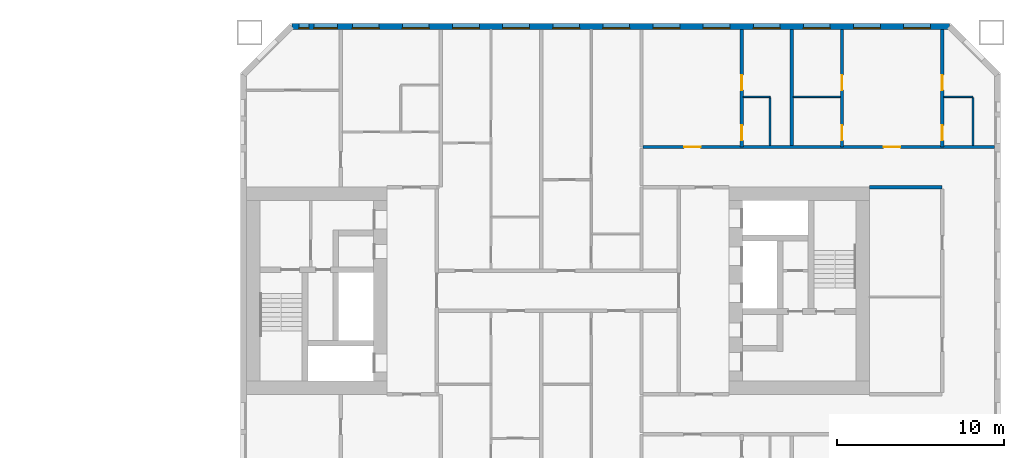
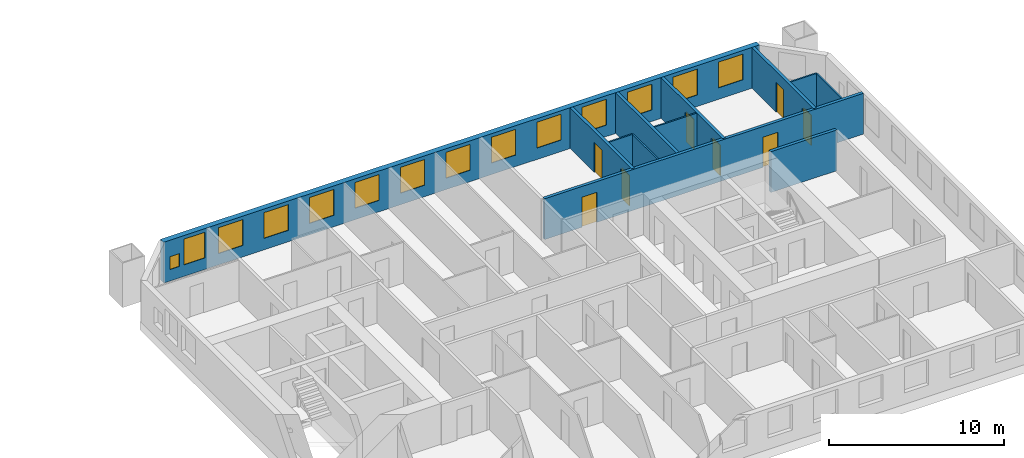
# One storey, part 14 of 17: 14 windows, 12 walls, 8 doors, 22 openings.
"""IFC4 building model written with IfcOpenShell, lengths in metres."""

from ifc_helpers import new_model, si_unit, direction, frame, frame_2d, origin, place, context, subcontext, project, spatial, rectangle, extrude, material, layer, layer_set, type_object, element, fill, save


model = new_model("IFC4")

# Units and contexts
model_context = context("Model", 3, precision=1e-05, world=origin(), true_north=direction((0.0, 1.0)))
body_context = subcontext(model_context, "Body", "Model", "MODEL_VIEW")
ifc_project = project(units=[si_unit("LENGTHUNIT", "METRE"), si_unit("AREAUNIT", "SQUARE_METRE"), si_unit("VOLUMEUNIT", "CUBIC_METRE"), si_unit("PLANEANGLEUNIT", "RADIAN"), si_unit("MASSUNIT", "GRAM", prefix="KILO")], contexts=[model_context])

# Site, building, storey
site_placement = place(None, origin())
site = spatial("IfcSite", under=ifc_project, at=site_placement, CompositionType="ELEMENT")
building_placement = place(site_placement, origin())
building = spatial("IfcBuilding", under=site, at=building_placement, Name="Tuart Gate Housing", CompositionType="ELEMENT")
storey_placement = place(building_placement, frame((0.0, 0.0, 44.300048828125)))
storey = spatial("IfcBuildingStorey", under=building, at=storey_placement, Name="L11", CompositionType="ELEMENT", Elevation=44.300048828125)

# Wall, openings, windows
ifc_material_1 = material(Name="Brick", Category="masonry")
ifc_layer_1 = layer(ifc_material_1, 0.360107421875)
ifc_layer_set_1 = layer_set([ifc_layer_1], Name="Brick pier and spandrel wall 360")
wall_type_1 = type_object("IfcWallType", Name="Brick pier and spandrel wall 360", PredefinedType="STANDARD", material=ifc_layer_set_1)
wall_1_placement = place(storey_placement, frame((173.42529296875, 85.820068359375, 0.0), z_axis=(0.0, 0.0, 1.0), x_axis=(-1.0, 0.0, 0.0)))
wall_1 = element("IfcWall", 1, at=wall_1_placement, inside=storey, type_object=wall_type_1, Name="External wall B-N L11", PredefinedType="STANDARD", context=body_context, shape_type="SweptSolid", body=[
    extrude(rectangle(XDim=39.350830078125, YDim=0.360107421875, at=frame_2d((19.67529296875, 0.0))), origin(), (0.0, 0.0, 1.0), 2.849853515625),
])
opening_1_placement = place(wall_1_placement, frame((1.12548828125, 0.0, 0.800048828125)))
opening_1 = element("IfcOpeningElement", 2, at=opening_1_placement, cuts=wall_1, Name="Opening W1", PredefinedType="OPENING", context=body_context, shape_type="SweptSolid", body=[
    extrude(rectangle(XDim=1.60009765625, YDim=1.800048828125, at=frame_2d((0.800048828125, 0.89990234375))), frame((0.0, 0.18994140625, 0.0), z_axis=(0.0, -1.0, 0.0), x_axis=(1.0, 0.0, 0.0)), (0.0, 0.0, 1.0), 0.380126953125),
])
opening_2_placement = place(wall_1_placement, frame((4.12548828125, 0.0, 0.800048828125)))
opening_2 = element("IfcOpeningElement", 3, at=opening_2_placement, cuts=wall_1, Name="Opening W1", PredefinedType="OPENING", context=body_context, shape_type="SweptSolid", body=[
    extrude(rectangle(XDim=1.60009765625, YDim=1.800048828125, at=frame_2d((0.800048828125, 0.89990234375))), frame((0.0, 0.18994140625, 0.0), z_axis=(0.0, -1.0, 0.0), x_axis=(1.0, 0.0, 0.0)), (0.0, 0.0, 1.0), 0.380126953125),
])
opening_3_placement = place(wall_1_placement, frame((7.12548828125, 0.0, 0.800048828125)))
opening_3 = element("IfcOpeningElement", 4, at=opening_3_placement, cuts=wall_1, Name="Opening W1", PredefinedType="OPENING", context=body_context, shape_type="SweptSolid", body=[
    extrude(rectangle(XDim=1.60009765625, YDim=1.800048828125, at=frame_2d((0.800048828125, 0.89990234375))), frame((0.0, 0.18994140625, 0.0), z_axis=(0.0, -1.0, 0.0), x_axis=(1.0, 0.0, 0.0)), (0.0, 0.0, 1.0), 0.380126953125),
])
opening_4_placement = place(wall_1_placement, frame((10.12548828125, 0.0, 0.800048828125)))
opening_4 = element("IfcOpeningElement", 5, at=opening_4_placement, cuts=wall_1, Name="Opening W1", PredefinedType="OPENING", context=body_context, shape_type="SweptSolid", body=[
    extrude(rectangle(XDim=1.60009765625, YDim=1.800048828125, at=frame_2d((0.800048828125, 0.89990234375))), frame((0.0, 0.18994140625, 0.0), z_axis=(0.0, -1.0, 0.0), x_axis=(1.0, 0.0, 0.0)), (0.0, 0.0, 1.0), 0.380126953125),
])
opening_5_placement = place(wall_1_placement, frame((13.12548828125, 0.0, 0.800048828125)))
opening_5 = element("IfcOpeningElement", 6, at=opening_5_placement, cuts=wall_1, Name="Opening W1", PredefinedType="OPENING", context=body_context, shape_type="SweptSolid", body=[
    extrude(rectangle(XDim=1.60009765625, YDim=1.800048828125, at=frame_2d((0.800048828125, 0.89990234375))), frame((0.0, 0.18994140625, 0.0), z_axis=(0.0, -1.0, 0.0), x_axis=(1.0, 0.0, 0.0)), (0.0, 0.0, 1.0), 0.380126953125),
])
opening_6_placement = place(wall_1_placement, frame((16.12548828125, 0.0, 0.800048828125)))
opening_6 = element("IfcOpeningElement", 7, at=opening_6_placement, cuts=wall_1, Name="Opening W1", PredefinedType="OPENING", context=body_context, shape_type="SweptSolid", body=[
    extrude(rectangle(XDim=1.60009765625, YDim=1.800048828125, at=frame_2d((0.800048828125, 0.89990234375))), frame((0.0, 0.18994140625, 0.0), z_axis=(0.0, -1.0, 0.0), x_axis=(1.0, 0.0, 0.0)), (0.0, 0.0, 1.0), 0.380126953125),
])
opening_7_placement = place(wall_1_placement, frame((19.12548828125, 0.0, 0.800048828125)))
opening_7 = element("IfcOpeningElement", 8, at=opening_7_placement, cuts=wall_1, Name="Opening W1", PredefinedType="OPENING", context=body_context, shape_type="SweptSolid", body=[
    extrude(rectangle(XDim=1.60009765625, YDim=1.800048828125, at=frame_2d((0.800048828125, 0.89990234375))), frame((0.0, 0.18994140625, 0.0), z_axis=(0.0, -1.0, 0.0), x_axis=(1.0, 0.0, 0.0)), (0.0, 0.0, 1.0), 0.380126953125),
])
opening_8_placement = place(wall_1_placement, frame((22.12548828125, 0.0, 0.800048828125)))
opening_8 = element("IfcOpeningElement", 9, at=opening_8_placement, cuts=wall_1, Name="Opening W1", PredefinedType="OPENING", context=body_context, shape_type="SweptSolid", body=[
    extrude(rectangle(XDim=1.60009765625, YDim=1.800048828125, at=frame_2d((0.800048828125, 0.89990234375))), frame((0.0, 0.18994140625, 0.0), z_axis=(0.0, -1.0, 0.0), x_axis=(1.0, 0.0, 0.0)), (0.0, 0.0, 1.0), 0.380126953125),
])
opening_9_placement = place(wall_1_placement, frame((25.12548828125, 0.0, 0.800048828125)))
opening_9 = element("IfcOpeningElement", 10, at=opening_9_placement, cuts=wall_1, Name="Opening W1", PredefinedType="OPENING", context=body_context, shape_type="SweptSolid", body=[
    extrude(rectangle(XDim=1.60009765625, YDim=1.800048828125, at=frame_2d((0.800048828125, 0.89990234375))), frame((0.0, 0.18994140625, 0.0), z_axis=(0.0, -1.0, 0.0), x_axis=(1.0, 0.0, 0.0)), (0.0, 0.0, 1.0), 0.380126953125),
])
opening_10_placement = place(wall_1_placement, frame((28.12548828125, 0.0, 0.800048828125)))
opening_10 = element("IfcOpeningElement", 11, at=opening_10_placement, cuts=wall_1, Name="Opening W1", PredefinedType="OPENING", context=body_context, shape_type="SweptSolid", body=[
    extrude(rectangle(XDim=1.60009765625, YDim=1.800048828125, at=frame_2d((0.800048828125, 0.89990234375))), frame((0.0, 0.18994140625, 0.0), z_axis=(0.0, -1.0, 0.0), x_axis=(1.0, 0.0, 0.0)), (0.0, 0.0, 1.0), 0.380126953125),
])
opening_11_placement = place(wall_1_placement, frame((31.12548828125, 0.0, 0.800048828125)))
opening_11 = element("IfcOpeningElement", 12, at=opening_11_placement, cuts=wall_1, Name="Opening W1", PredefinedType="OPENING", context=body_context, shape_type="SweptSolid", body=[
    extrude(rectangle(XDim=1.60009765625, YDim=1.800048828125, at=frame_2d((0.800048828125, 0.89990234375))), frame((0.0, 0.18994140625, 0.0), z_axis=(0.0, -1.0, 0.0), x_axis=(1.0, 0.0, 0.0)), (0.0, 0.0, 1.0), 0.380126953125),
])
opening_12_placement = place(wall_1_placement, frame((34.12548828125, 0.0, 0.800048828125)))
opening_12 = element("IfcOpeningElement", 13, at=opening_12_placement, cuts=wall_1, Name="Opening W1", PredefinedType="OPENING", context=body_context, shape_type="SweptSolid", body=[
    extrude(rectangle(XDim=1.60009765625, YDim=1.800048828125, at=frame_2d((0.800048828125, 0.89990234375))), frame((0.0, 0.18994140625, 0.0), z_axis=(0.0, -1.0, 0.0), x_axis=(1.0, 0.0, 0.0)), (0.0, 0.0, 1.0), 0.380126953125),
])
opening_13_placement = place(wall_1_placement, frame((36.62548828125, 0.0, 0.800048828125)))
opening_13 = element("IfcOpeningElement", 14, at=opening_13_placement, cuts=wall_1, Name="Opening W1A", PredefinedType="OPENING", context=body_context, shape_type="SweptSolid", body=[
    extrude(rectangle(XDim=1.39990234375, YDim=1.800048828125, at=frame_2d((0.699951171875, 0.89990234375))), frame((0.0, 0.18994140625, 0.0), z_axis=(0.0, -1.0, 0.0), x_axis=(1.0, 0.0, 0.0)), (0.0, 0.0, 1.0), 0.380126953125),
])
opening_14_placement = place(wall_1_placement, frame((38.325439453125, 0.0, 0.800048828125)))
opening_14 = element("IfcOpeningElement", 15, at=opening_14_placement, cuts=wall_1, Name="Opening W1W", PredefinedType="OPENING", context=body_context, shape_type="SweptSolid", body=[
    extrude(rectangle(XDim=0.60009765625, YDim=0.89990234375, at=frame_2d((0.300048828125, 0.449951171875))), frame((0.0, 0.18994140625, 0.0), z_axis=(0.0, -1.0, 0.0), x_axis=(1.0, 0.0, 0.0)), (0.0, 0.0, 1.0), 0.380126953125),
])
ifc_material_2 = material(Name="Aluminium frame with clear glass", Category="aluminium")
window_type_1 = type_object("IfcWindowType", Name="Punched window 1400 x 1800", PartitioningType="SINGLE_PANEL", PredefinedType="WINDOW", material=ifc_material_2)
window_1_placement = place(opening_13_placement, origin())
window_1 = element("IfcWindow", 16, at=window_1_placement, inside=storey, type_object=window_type_1, Name="Window W1A", OverallHeight=1.800048828125, OverallWidth=1.39990234375, PartitioningType="SINGLE_PANEL", PredefinedType="WINDOW", context=body_context, shape_type="SweptSolid", body=[
    extrude(rectangle(XDim=1.39990234375, YDim=1.800048828125, at=frame_2d((0.699951171875, 0.89990234375))), frame((0.0, 0.150146484375, 0.0), z_axis=(0.0, -1.0, 0.0), x_axis=(1.0, 0.0, 0.0)), (0.0, 0.0, 1.0), 0.06005859375),
])
fill(opening_13, window_1)
ifc_material_3 = material(Name="Aluminium frame with clear glass", Category="aluminium")
window_type_2 = type_object("IfcWindowType", Name="Punched window 1600 x 1800", PartitioningType="SINGLE_PANEL", PredefinedType="WINDOW", material=ifc_material_3)
window_2_placement = place(opening_1_placement, origin())
window_2 = element("IfcWindow", 17, at=window_2_placement, inside=storey, type_object=window_type_2, Name="Window W1", OverallHeight=1.800048828125, OverallWidth=1.60009765625, PartitioningType="SINGLE_PANEL", PredefinedType="WINDOW", context=body_context, shape_type="SweptSolid", body=[
    extrude(rectangle(XDim=1.60009765625, YDim=1.800048828125, at=frame_2d((0.800048828125, 0.89990234375))), frame((0.0, 0.150146484375, 0.0), z_axis=(0.0, -1.0, 0.0), x_axis=(1.0, 0.0, 0.0)), (0.0, 0.0, 1.0), 0.06005859375),
])
fill(opening_1, window_2)
window_3_placement = place(opening_2_placement, origin())
window_3 = element("IfcWindow", 18, at=window_3_placement, inside=storey, type_object=window_type_2, Name="Window W1", OverallHeight=1.800048828125, OverallWidth=1.60009765625, PartitioningType="SINGLE_PANEL", PredefinedType="WINDOW", context=body_context, shape_type="SweptSolid", body=[
    extrude(rectangle(XDim=1.60009765625, YDim=1.800048828125, at=frame_2d((0.800048828125, 0.89990234375))), frame((0.0, 0.150146484375, 0.0), z_axis=(0.0, -1.0, 0.0), x_axis=(1.0, 0.0, 0.0)), (0.0, 0.0, 1.0), 0.06005859375),
])
fill(opening_2, window_3)
window_4_placement = place(opening_3_placement, origin())
window_4 = element("IfcWindow", 19, at=window_4_placement, inside=storey, type_object=window_type_2, Name="Window W1", OverallHeight=1.800048828125, OverallWidth=1.60009765625, PartitioningType="SINGLE_PANEL", PredefinedType="WINDOW", context=body_context, shape_type="SweptSolid", body=[
    extrude(rectangle(XDim=1.60009765625, YDim=1.800048828125, at=frame_2d((0.800048828125, 0.89990234375))), frame((0.0, 0.150146484375, 0.0), z_axis=(0.0, -1.0, 0.0), x_axis=(1.0, 0.0, 0.0)), (0.0, 0.0, 1.0), 0.06005859375),
])
fill(opening_3, window_4)
window_5_placement = place(opening_4_placement, origin())
window_5 = element("IfcWindow", 20, at=window_5_placement, inside=storey, type_object=window_type_2, Name="Window W1", OverallHeight=1.800048828125, OverallWidth=1.60009765625, PartitioningType="SINGLE_PANEL", PredefinedType="WINDOW", context=body_context, shape_type="SweptSolid", body=[
    extrude(rectangle(XDim=1.60009765625, YDim=1.800048828125, at=frame_2d((0.800048828125, 0.89990234375))), frame((0.0, 0.150146484375, 0.0), z_axis=(0.0, -1.0, 0.0), x_axis=(1.0, 0.0, 0.0)), (0.0, 0.0, 1.0), 0.06005859375),
])
fill(opening_4, window_5)
window_6_placement = place(opening_5_placement, origin())
window_6 = element("IfcWindow", 21, at=window_6_placement, inside=storey, type_object=window_type_2, Name="Window W1", OverallHeight=1.800048828125, OverallWidth=1.60009765625, PartitioningType="SINGLE_PANEL", PredefinedType="WINDOW", context=body_context, shape_type="SweptSolid", body=[
    extrude(rectangle(XDim=1.60009765625, YDim=1.800048828125, at=frame_2d((0.800048828125, 0.89990234375))), frame((0.0, 0.150146484375, 0.0), z_axis=(0.0, -1.0, 0.0), x_axis=(1.0, 0.0, 0.0)), (0.0, 0.0, 1.0), 0.06005859375),
])
fill(opening_5, window_6)
window_7_placement = place(opening_6_placement, origin())
window_7 = element("IfcWindow", 22, at=window_7_placement, inside=storey, type_object=window_type_2, Name="Window W1", OverallHeight=1.800048828125, OverallWidth=1.60009765625, PartitioningType="SINGLE_PANEL", PredefinedType="WINDOW", context=body_context, shape_type="SweptSolid", body=[
    extrude(rectangle(XDim=1.60009765625, YDim=1.800048828125, at=frame_2d((0.800048828125, 0.89990234375))), frame((0.0, 0.150146484375, 0.0), z_axis=(0.0, -1.0, 0.0), x_axis=(1.0, 0.0, 0.0)), (0.0, 0.0, 1.0), 0.06005859375),
])
fill(opening_6, window_7)
window_8_placement = place(opening_7_placement, origin())
window_8 = element("IfcWindow", 23, at=window_8_placement, inside=storey, type_object=window_type_2, Name="Window W1", OverallHeight=1.800048828125, OverallWidth=1.60009765625, PartitioningType="SINGLE_PANEL", PredefinedType="WINDOW", context=body_context, shape_type="SweptSolid", body=[
    extrude(rectangle(XDim=1.60009765625, YDim=1.800048828125, at=frame_2d((0.800048828125, 0.89990234375))), frame((0.0, 0.150146484375, 0.0), z_axis=(0.0, -1.0, 0.0), x_axis=(1.0, 0.0, 0.0)), (0.0, 0.0, 1.0), 0.06005859375),
])
fill(opening_7, window_8)
window_9_placement = place(opening_8_placement, origin())
window_9 = element("IfcWindow", 24, at=window_9_placement, inside=storey, type_object=window_type_2, Name="Window W1", OverallHeight=1.800048828125, OverallWidth=1.60009765625, PartitioningType="SINGLE_PANEL", PredefinedType="WINDOW", context=body_context, shape_type="SweptSolid", body=[
    extrude(rectangle(XDim=1.60009765625, YDim=1.800048828125, at=frame_2d((0.800048828125, 0.89990234375))), frame((0.0, 0.150146484375, 0.0), z_axis=(0.0, -1.0, 0.0), x_axis=(1.0, 0.0, 0.0)), (0.0, 0.0, 1.0), 0.06005859375),
])
fill(opening_8, window_9)
window_10_placement = place(opening_9_placement, origin())
window_10 = element("IfcWindow", 25, at=window_10_placement, inside=storey, type_object=window_type_2, Name="Window W1", OverallHeight=1.800048828125, OverallWidth=1.60009765625, PartitioningType="SINGLE_PANEL", PredefinedType="WINDOW", context=body_context, shape_type="SweptSolid", body=[
    extrude(rectangle(XDim=1.60009765625, YDim=1.800048828125, at=frame_2d((0.800048828125, 0.89990234375))), frame((0.0, 0.150146484375, 0.0), z_axis=(0.0, -1.0, 0.0), x_axis=(1.0, 0.0, 0.0)), (0.0, 0.0, 1.0), 0.06005859375),
])
fill(opening_9, window_10)
window_11_placement = place(opening_10_placement, origin())
window_11 = element("IfcWindow", 26, at=window_11_placement, inside=storey, type_object=window_type_2, Name="Window W1", OverallHeight=1.800048828125, OverallWidth=1.60009765625, PartitioningType="SINGLE_PANEL", PredefinedType="WINDOW", context=body_context, shape_type="SweptSolid", body=[
    extrude(rectangle(XDim=1.60009765625, YDim=1.800048828125, at=frame_2d((0.800048828125, 0.89990234375))), frame((0.0, 0.150146484375, 0.0), z_axis=(0.0, -1.0, 0.0), x_axis=(1.0, 0.0, 0.0)), (0.0, 0.0, 1.0), 0.06005859375),
])
fill(opening_10, window_11)
window_12_placement = place(opening_11_placement, origin())
window_12 = element("IfcWindow", 27, at=window_12_placement, inside=storey, type_object=window_type_2, Name="Window W1", OverallHeight=1.800048828125, OverallWidth=1.60009765625, PartitioningType="SINGLE_PANEL", PredefinedType="WINDOW", context=body_context, shape_type="SweptSolid", body=[
    extrude(rectangle(XDim=1.60009765625, YDim=1.800048828125, at=frame_2d((0.800048828125, 0.89990234375))), frame((0.0, 0.150146484375, 0.0), z_axis=(0.0, -1.0, 0.0), x_axis=(1.0, 0.0, 0.0)), (0.0, 0.0, 1.0), 0.06005859375),
])
fill(opening_11, window_12)
window_13_placement = place(opening_12_placement, origin())
window_13 = element("IfcWindow", 28, at=window_13_placement, inside=storey, type_object=window_type_2, Name="Window W1", OverallHeight=1.800048828125, OverallWidth=1.60009765625, PartitioningType="SINGLE_PANEL", PredefinedType="WINDOW", context=body_context, shape_type="SweptSolid", body=[
    extrude(rectangle(XDim=1.60009765625, YDim=1.800048828125, at=frame_2d((0.800048828125, 0.89990234375))), frame((0.0, 0.150146484375, 0.0), z_axis=(0.0, -1.0, 0.0), x_axis=(1.0, 0.0, 0.0)), (0.0, 0.0, 1.0), 0.06005859375),
])
fill(opening_12, window_13)
ifc_material_4 = material(Name="Aluminium frame with clear glass", Category="aluminium")
window_type_3 = type_object("IfcWindowType", Name="Punched window 600 x 900", PartitioningType="SINGLE_PANEL", PredefinedType="WINDOW", material=ifc_material_4)
window_14_placement = place(opening_14_placement, origin())
window_14 = element("IfcWindow", 29, at=window_14_placement, inside=storey, type_object=window_type_3, Name="Window W1W", OverallHeight=0.89990234375, OverallWidth=0.60009765625, PartitioningType="SINGLE_PANEL", PredefinedType="WINDOW", context=body_context, shape_type="SweptSolid", body=[
    extrude(rectangle(XDim=0.60009765625, YDim=0.89990234375, at=frame_2d((0.300048828125, 0.449951171875))), frame((0.0, 0.150146484375, 0.0), z_axis=(0.0, -1.0, 0.0), x_axis=(1.0, 0.0, 0.0)), (0.0, 0.0, 1.0), 0.06005859375),
])
fill(opening_14, window_14)

# Wall
ifc_material_5 = material(Name="Concrete masonry 15 MPa", Category="masonry")
ifc_layer_2 = layer(ifc_material_5, 0.199951171875)
ifc_layer_set_2 = layer_set([ifc_layer_2], Name="Corridor wall masonry 200")
wall_type_2 = type_object("IfcWallType", Name="Corridor wall masonry 200", PredefinedType="PARTITIONING", material=ifc_layer_set_2)
wall_2_placement = place(storey_placement, frame((168.639892578125, 76.199951171875, 0.0), z_axis=(0.0, 0.0, 1.0), x_axis=(1.0, 0.0, 0.0)))
element("IfcWall", 30, at=wall_2_placement, inside=storey, type_object=wall_type_2, Name="Corridor wall masonry 200", PredefinedType="PARTITIONING", context=body_context, shape_type="SweptSolid", body=[
    extrude(rectangle(XDim=4.360107421875, YDim=0.199951171875, at=frame_2d((2.18017578125, 0.0))), origin(), (0.0, 0.0, 1.0), 2.849853515625),
])

# Wall, openings, doors
wall_3_placement = place(storey_placement, frame((155.10009765625, 78.60009765625, 0.0), z_axis=(0.0, 0.0, 1.0), x_axis=(1.0, 0.0, 0.0)))
wall_3 = element("IfcWall", 31, at=wall_3_placement, inside=storey, type_object=wall_type_2, Name="Corridor wall masonry 200", PredefinedType="PARTITIONING", context=body_context, shape_type="SweptSolid", body=[
    extrude(rectangle(XDim=21.039794921875, YDim=0.199951171875, at=frame_2d((10.52001953125, 0.0))), origin(), (0.0, 0.0, 1.0), 2.849853515625),
])
opening_15_placement = place(wall_3_placement, frame((2.449951171875, 0.0, 0.0)))
opening_15 = element("IfcOpeningElement", 32, at=opening_15_placement, cuts=wall_3, Name="Opening D667", PredefinedType="OPENING", context=body_context, shape_type="SweptSolid", body=[
    extrude(rectangle(XDim=1.0, YDim=2.10009765625, at=frame_2d((0.5, 1.050048828125))), frame((0.0, 0.10986328125, 0.0), z_axis=(0.0, -1.0, 0.0), x_axis=(1.0, 0.0, 0.0)), (0.0, 0.0, 1.0), 0.219970703125),
])
opening_16_placement = place(wall_3_placement, frame((14.39990234375, 0.0, 0.0)))
opening_16 = element("IfcOpeningElement", 33, at=opening_16_placement, cuts=wall_3, Name="Opening D668", PredefinedType="OPENING", context=body_context, shape_type="SweptSolid", body=[
    extrude(rectangle(XDim=1.0, YDim=2.10009765625, at=frame_2d((0.5, 1.050048828125))), frame((0.0, 0.10986328125, 0.0), z_axis=(0.0, -1.0, 0.0), x_axis=(1.0, 0.0, 0.0)), (0.0, 0.0, 1.0), 0.219970703125),
])
ifc_material_6 = material(Name="Timber door leaf in steel frame", Category="steel")
door_type_1 = type_object("IfcDoorType", Name="Flat entrance door 1000", OperationType="SINGLE_SWING_LEFT", PredefinedType="DOOR", material=ifc_material_6)
door_1_placement = place(opening_16_placement, origin())
door_1 = element("IfcDoor", 34, at=door_1_placement, inside=storey, type_object=door_type_1, Name="Flat entrance door", OperationType="SINGLE_SWING_LEFT", OverallHeight=2.10009765625, OverallWidth=1.0, PredefinedType="DOOR", context=body_context, shape_type="SweptSolid", body=[
    extrude(rectangle(XDim=1.0, YDim=2.10009765625, at=frame_2d((0.5, 1.050048828125))), frame((0.0, 0.02490234375, 0.0), z_axis=(0.0, -1.0, 0.0), x_axis=(1.0, 0.0, 0.0)), (0.0, 0.0, 1.0), 0.050048828125),
])
fill(opening_16, door_1)
ifc_material_7 = material(Name="Timber door leaf in steel frame", Category="steel")
door_type_2 = type_object("IfcDoorType", Name="Flat entrance door 1000 RH", OperationType="SINGLE_SWING_RIGHT", PredefinedType="DOOR", material=ifc_material_7)
door_2_placement = place(opening_15_placement, origin())
door_2 = element("IfcDoor", 35, at=door_2_placement, inside=storey, type_object=door_type_2, Name="Flat entrance door", OperationType="SINGLE_SWING_RIGHT", OverallHeight=2.10009765625, OverallWidth=1.0, PredefinedType="DOOR", context=body_context, shape_type="SweptSolid", body=[
    extrude(rectangle(XDim=1.0, YDim=2.10009765625, at=frame_2d((0.5, 1.050048828125))), frame((0.0, 0.02490234375, 0.0), z_axis=(0.0, -1.0, 0.0), x_axis=(1.0, 0.0, 0.0)), (0.0, 0.0, 1.0), 0.050048828125),
])
fill(opening_15, door_2)

# Walls
ifc_material_8 = material(Name="Gypsum board on steel studs", Category="steel")
ifc_layer_3 = layer(ifc_material_8, 0.10009765625)
ifc_layer_set_3 = layer_set([ifc_layer_3], Name="Partition 100")
wall_type_3 = type_object("IfcWallType", Name="Partition 100", PredefinedType="PARTITIONING", material=ifc_layer_set_3)
wall_4_placement = place(storey_placement, frame((161.10009765625, 81.60009765625, 0.0), z_axis=(0.0, 0.0, 1.0), x_axis=(1.0, 0.0, 0.0)))
element("IfcWall", 36, at=wall_4_placement, inside=storey, type_object=wall_type_3, Name="Partition 100", PredefinedType="PARTITIONING", context=body_context, shape_type="SweptSolid", body=[
    extrude(rectangle(XDim=1.599853515625, YDim=0.10009765625, at=frame_2d((0.7998046875, 0.0))), origin(), (0.0, 0.0, 1.0), 2.849853515625),
])
wall_5_placement = place(storey_placement, frame((164.10009765625, 81.60009765625, 0.0), z_axis=(0.0, 0.0, 1.0), x_axis=(1.0, 0.0, 0.0)))
element("IfcWall", 37, at=wall_5_placement, inside=storey, type_object=wall_type_3, Name="Partition 100", PredefinedType="PARTITIONING", context=body_context, shape_type="SweptSolid", body=[
    extrude(rectangle(XDim=2.7998046875, YDim=0.10009765625, at=frame_2d((1.39990234375, 0.0))), origin(), (0.0, 0.0, 1.0), 2.849853515625),
])
wall_6_placement = place(storey_placement, frame((173.10009765625, 81.60009765625, 0.0), z_axis=(0.0, 0.0, 1.0), x_axis=(1.0, 0.0, 0.0)))
element("IfcWall", 38, at=wall_6_placement, inside=storey, type_object=wall_type_3, Name="Partition 100", PredefinedType="PARTITIONING", context=body_context, shape_type="SweptSolid", body=[
    extrude(rectangle(XDim=1.739990234375, YDim=0.10009765625, at=frame_2d((0.8701171875, 0.0))), origin(), (0.0, 0.0, 1.0), 2.849853515625),
])
for number, where, z_axis, x_axis, name in (
    (39, (162.699951171875, 78.699951171875, 0.0), (0.0, 0.0, 1.0), (0.0, 1.0, 0.0), "Partition 100"),
    (40, (174.840087890625, 78.699951171875, 0.0), (0.0, 0.0, 1.0), (0.0, 1.0, 0.0), "Partition 100"),
):
    element("IfcWall", number, at=place(storey_placement, frame(where, z_axis=z_axis, x_axis=x_axis)), inside=storey, type_object=wall_type_3, Name=name, PredefinedType="PARTITIONING", context=body_context, shape_type="SweptSolid", body=[
        extrude(rectangle(XDim=2.85009765625, YDim=0.10009765625, at=frame_2d((1.425048828125, 0.0))), origin(), (0.0, 0.0, 1.0), 2.849853515625),
    ])

# Wall, openings, doors
ifc_material_9 = material(Name="Concrete C40", Category="concrete")
ifc_layer_4 = layer(ifc_material_9, 0.199951171875)
ifc_layer_set_4 = layer_set([ifc_layer_4], Name="Party wall concrete C40 200")
wall_type_4 = type_object("IfcWallType", Name="Party wall concrete C40 200", PredefinedType="SOLIDWALL", material=ifc_layer_set_4)
wall_7_placement = place(storey_placement, frame((161.0, 78.60009765625, 0.0), z_axis=(0.0, 0.0, 1.0), x_axis=(0.0, 1.0, 0.0)))
wall_7 = element("IfcWall", 41, at=wall_7_placement, inside=storey, type_object=wall_type_4, Name="Party wall concrete C40 200", PredefinedType="SOLIDWALL", context=body_context, shape_type="SweptSolid", body=[
    extrude(rectangle(XDim=7.039794921875, YDim=0.199951171875, at=frame_2d((3.52001953125, 0.0))), origin(), (0.0, 0.0, 1.0), 2.849853515625),
])
opening_17_placement = place(wall_7_placement, frame((3.39990234375, 0.0, 0.0)))
opening_17 = element("IfcOpeningElement", 42, at=opening_17_placement, cuts=wall_7, Name="Opening D657", PredefinedType="OPENING", context=body_context, shape_type="SweptSolid", body=[
    extrude(rectangle(XDim=0.89990234375, YDim=2.10009765625, at=frame_2d((0.449951171875, 1.050048828125))), frame((0.0, 0.10986328125, 0.0), z_axis=(0.0, -1.0, 0.0), x_axis=(1.0, 0.0, 0.0)), (0.0, 0.0, 1.0), 0.219970703125),
])
opening_18_placement = place(wall_7_placement, frame((0.39990234375, 0.0, 0.0)))
opening_18 = element("IfcOpeningElement", 43, at=opening_18_placement, cuts=wall_7, Name="Opening D656", PredefinedType="OPENING", context=body_context, shape_type="SweptSolid", body=[
    extrude(rectangle(XDim=0.89990234375, YDim=2.10009765625, at=frame_2d((0.449951171875, 1.050048828125))), frame((0.0, 0.10986328125, 0.0), z_axis=(0.0, -1.0, 0.0), x_axis=(1.0, 0.0, 0.0)), (0.0, 0.0, 1.0), 0.219970703125),
])
ifc_material_10 = material(Name="Timber door leaf in steel frame", Category="steel")
door_type_3 = type_object("IfcDoorType", Name="Bathroom door 900 RH", OperationType="SINGLE_SWING_RIGHT", PredefinedType="DOOR", material=ifc_material_10)
door_3_placement = place(opening_18_placement, frame((0.89990234375, 0.0, 0.0), z_axis=(0.0, 0.0, 1.0), x_axis=(-1.0, 0.0, 0.0)))
door_3 = element("IfcDoor", 44, at=door_3_placement, inside=storey, type_object=door_type_3, Name="Bathroom door", OperationType="SINGLE_SWING_RIGHT", OverallHeight=2.10009765625, OverallWidth=0.89990234375, PredefinedType="DOOR", context=body_context, shape_type="SweptSolid", body=[
    extrude(rectangle(XDim=0.89990234375, YDim=2.10009765625, at=frame_2d((0.449951171875, 1.050048828125))), frame((0.0, 0.025146484375, 0.0), z_axis=(0.0, -1.0, 0.0), x_axis=(1.0, 0.0, 0.0)), (0.0, 0.0, 1.0), 0.050048828125),
])
fill(opening_18, door_3)
ifc_material_11 = material(Name="Timber door leaf in steel frame", Category="steel")
door_type_4 = type_object("IfcDoorType", Name="Internal door 900 RH", OperationType="SINGLE_SWING_RIGHT", PredefinedType="DOOR", material=ifc_material_11)
door_4_placement = place(opening_17_placement, frame((0.89990234375, 0.0, 0.0), z_axis=(0.0, 0.0, 1.0), x_axis=(-1.0, 0.0, 0.0)))
door_4 = element("IfcDoor", 45, at=door_4_placement, inside=storey, type_object=door_type_4, Name="Internal door", OperationType="SINGLE_SWING_RIGHT", OverallHeight=2.10009765625, OverallWidth=0.89990234375, PredefinedType="DOOR", context=body_context, shape_type="SweptSolid", body=[
    extrude(rectangle(XDim=0.89990234375, YDim=2.10009765625, at=frame_2d((0.449951171875, 1.050048828125))), frame((0.0, 0.025146484375, 0.0), z_axis=(0.0, -1.0, 0.0), x_axis=(1.0, 0.0, 0.0)), (0.0, 0.0, 1.0), 0.050048828125),
])
fill(opening_17, door_4)

wall_8_placement = place(storey_placement, frame((167.0, 78.60009765625, 0.0), z_axis=(0.0, 0.0, 1.0), x_axis=(0.0, 1.0, 0.0)))
wall_8 = element("IfcWall", 46, at=wall_8_placement, inside=storey, type_object=wall_type_4, Name="Party wall concrete C40 200", PredefinedType="SOLIDWALL", context=body_context, shape_type="SweptSolid", body=[
    extrude(rectangle(XDim=7.039794921875, YDim=0.199951171875, at=frame_2d((3.52001953125, 0.0))), origin(), (0.0, 0.0, 1.0), 2.849853515625),
])
opening_19_placement = place(wall_8_placement, frame((3.39990234375, 0.0, 0.0)))
opening_19 = element("IfcOpeningElement", 47, at=opening_19_placement, cuts=wall_8, Name="Opening D659", PredefinedType="OPENING", context=body_context, shape_type="SweptSolid", body=[
    extrude(rectangle(XDim=0.89990234375, YDim=2.10009765625, at=frame_2d((0.449951171875, 1.050048828125))), frame((0.0, 0.10986328125, 0.0), z_axis=(0.0, -1.0, 0.0), x_axis=(1.0, 0.0, 0.0)), (0.0, 0.0, 1.0), 0.219970703125),
])
opening_20_placement = place(wall_8_placement, frame((0.39990234375, 0.0, 0.0)))
opening_20 = element("IfcOpeningElement", 48, at=opening_20_placement, cuts=wall_8, Name="Opening D658", PredefinedType="OPENING", context=body_context, shape_type="SweptSolid", body=[
    extrude(rectangle(XDim=0.89990234375, YDim=2.10009765625, at=frame_2d((0.449951171875, 1.050048828125))), frame((0.0, 0.10986328125, 0.0), z_axis=(0.0, -1.0, 0.0), x_axis=(1.0, 0.0, 0.0)), (0.0, 0.0, 1.0), 0.219970703125),
])
ifc_material_12 = material(Name="Timber door leaf in steel frame", Category="steel")
door_type_5 = type_object("IfcDoorType", Name="Bathroom door 900", OperationType="SINGLE_SWING_LEFT", PredefinedType="DOOR", material=ifc_material_12)
door_5_placement = place(opening_20_placement, origin())
door_5 = element("IfcDoor", 49, at=door_5_placement, inside=storey, type_object=door_type_5, Name="Bathroom door", OperationType="SINGLE_SWING_LEFT", OverallHeight=2.10009765625, OverallWidth=0.89990234375, PredefinedType="DOOR", context=body_context, shape_type="SweptSolid", body=[
    extrude(rectangle(XDim=0.89990234375, YDim=2.10009765625, at=frame_2d((0.449951171875, 1.050048828125))), frame((0.0, 0.02490234375, 0.0), z_axis=(0.0, -1.0, 0.0), x_axis=(1.0, 0.0, 0.0)), (0.0, 0.0, 1.0), 0.050048828125),
])
fill(opening_20, door_5)
ifc_material_13 = material(Name="Timber door leaf in steel frame", Category="steel")
door_type_6 = type_object("IfcDoorType", Name="Internal door 900", OperationType="SINGLE_SWING_LEFT", PredefinedType="DOOR", material=ifc_material_13)
door_6_placement = place(opening_19_placement, origin())
door_6 = element("IfcDoor", 50, at=door_6_placement, inside=storey, type_object=door_type_6, Name="Internal door", OperationType="SINGLE_SWING_LEFT", OverallHeight=2.10009765625, OverallWidth=0.89990234375, PredefinedType="DOOR", context=body_context, shape_type="SweptSolid", body=[
    extrude(rectangle(XDim=0.89990234375, YDim=2.10009765625, at=frame_2d((0.449951171875, 1.050048828125))), frame((0.0, 0.02490234375, 0.0), z_axis=(0.0, -1.0, 0.0), x_axis=(1.0, 0.0, 0.0)), (0.0, 0.0, 1.0), 0.050048828125),
])
fill(opening_19, door_6)

wall_9_placement = place(storey_placement, frame((173.0, 78.60009765625, 0.0), z_axis=(0.0, 0.0, 1.0), x_axis=(0.0, 1.0, 0.0)))
wall_9 = element("IfcWall", 51, at=wall_9_placement, inside=storey, type_object=wall_type_4, Name="Party wall concrete C40 200", PredefinedType="SOLIDWALL", context=body_context, shape_type="SweptSolid", body=[
    extrude(rectangle(XDim=7.039794921875, YDim=0.199951171875, at=frame_2d((3.52001953125, 0.0))), origin(), (0.0, 0.0, 1.0), 2.849853515625),
])
opening_21_placement = place(wall_9_placement, frame((3.39990234375, 0.0, 0.0)))
opening_21 = element("IfcOpeningElement", 52, at=opening_21_placement, cuts=wall_9, Name="Opening D661", PredefinedType="OPENING", context=body_context, shape_type="SweptSolid", body=[
    extrude(rectangle(XDim=0.89990234375, YDim=2.10009765625, at=frame_2d((0.449951171875, 1.050048828125))), frame((0.0, 0.10986328125, 0.0), z_axis=(0.0, -1.0, 0.0), x_axis=(1.0, 0.0, 0.0)), (0.0, 0.0, 1.0), 0.219970703125),
])
opening_22_placement = place(wall_9_placement, frame((0.39990234375, 0.0, 0.0)))
opening_22 = element("IfcOpeningElement", 53, at=opening_22_placement, cuts=wall_9, Name="Opening D660", PredefinedType="OPENING", context=body_context, shape_type="SweptSolid", body=[
    extrude(rectangle(XDim=0.89990234375, YDim=2.10009765625, at=frame_2d((0.449951171875, 1.050048828125))), frame((0.0, 0.10986328125, 0.0), z_axis=(0.0, -1.0, 0.0), x_axis=(1.0, 0.0, 0.0)), (0.0, 0.0, 1.0), 0.219970703125),
])
door_7_placement = place(opening_22_placement, frame((0.89990234375, 0.0, 0.0), z_axis=(0.0, 0.0, 1.0), x_axis=(-1.0, 0.0, 0.0)))
door_7 = element("IfcDoor", 54, at=door_7_placement, inside=storey, type_object=door_type_3, Name="Bathroom door", OperationType="SINGLE_SWING_RIGHT", OverallHeight=2.10009765625, OverallWidth=0.89990234375, PredefinedType="DOOR", context=body_context, shape_type="SweptSolid", body=[
    extrude(rectangle(XDim=0.89990234375, YDim=2.10009765625, at=frame_2d((0.449951171875, 1.050048828125))), frame((0.0, 0.025146484375, 0.0), z_axis=(0.0, -1.0, 0.0), x_axis=(1.0, 0.0, 0.0)), (0.0, 0.0, 1.0), 0.050048828125),
])
fill(opening_22, door_7)
door_8_placement = place(opening_21_placement, frame((0.89990234375, 0.0, 0.0), z_axis=(0.0, 0.0, 1.0), x_axis=(-1.0, 0.0, 0.0)))
door_8 = element("IfcDoor", 55, at=door_8_placement, inside=storey, type_object=door_type_4, Name="Internal door", OperationType="SINGLE_SWING_RIGHT", OverallHeight=2.10009765625, OverallWidth=0.89990234375, PredefinedType="DOOR", context=body_context, shape_type="SweptSolid", body=[
    extrude(rectangle(XDim=0.89990234375, YDim=2.10009765625, at=frame_2d((0.449951171875, 1.050048828125))), frame((0.0, 0.025146484375, 0.0), z_axis=(0.0, -1.0, 0.0), x_axis=(1.0, 0.0, 0.0)), (0.0, 0.0, 1.0), 0.050048828125),
])
fill(opening_21, door_8)

# Wall
ifc_material_14 = material(Name="Concrete masonry 15 MPa", Category="masonry")
ifc_layer_5 = layer(ifc_material_14, 0.199951171875)
ifc_layer_set_5 = layer_set([ifc_layer_5], Name="Party wall masonry 200")
wall_type_5 = type_object("IfcWallType", Name="Party wall masonry 200", PredefinedType="PARTITIONING", material=ifc_layer_set_5)
wall_10_placement = place(storey_placement, frame((164.0, 78.699951171875, 0.0), z_axis=(0.0, 0.0, 1.0), x_axis=(0.0, 1.0, 0.0)))
element("IfcWall", 56, at=wall_10_placement, inside=storey, type_object=wall_type_5, Name="Party wall masonry 200", PredefinedType="PARTITIONING", context=body_context, shape_type="SweptSolid", body=[
    extrude(rectangle(XDim=6.93994140625, YDim=0.199951171875, at=frame_2d((3.469970703125, 0.0))), origin(), (0.0, 0.0, 1.0), 2.849853515625),
])

save(model, "model.ifc")
